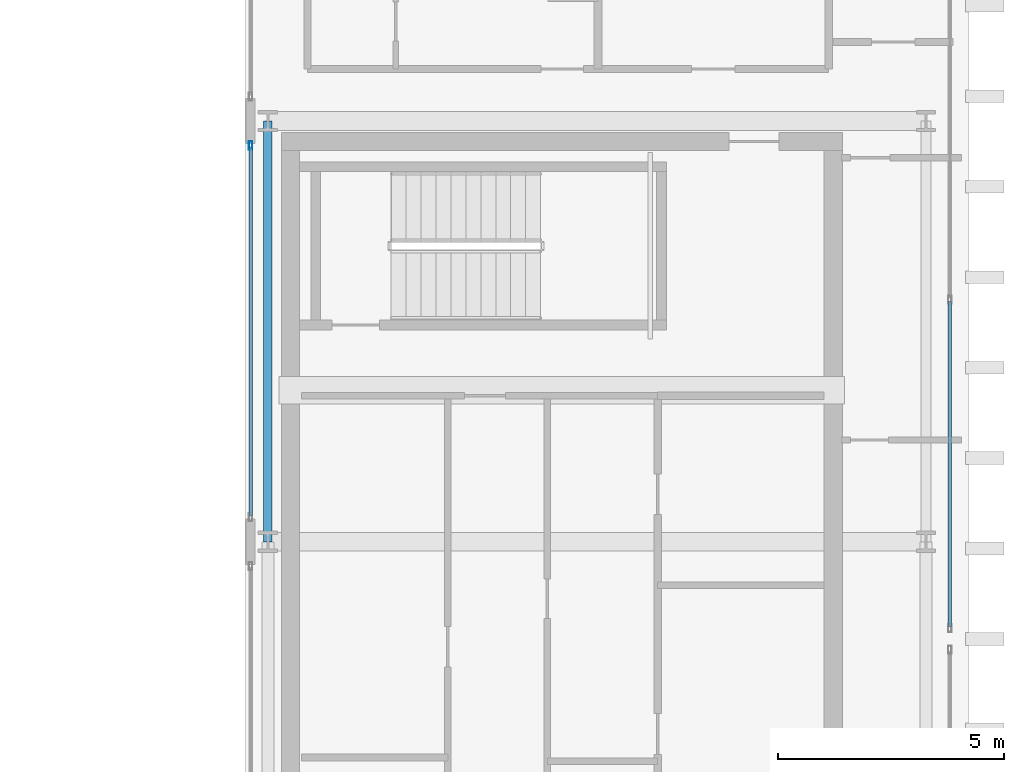
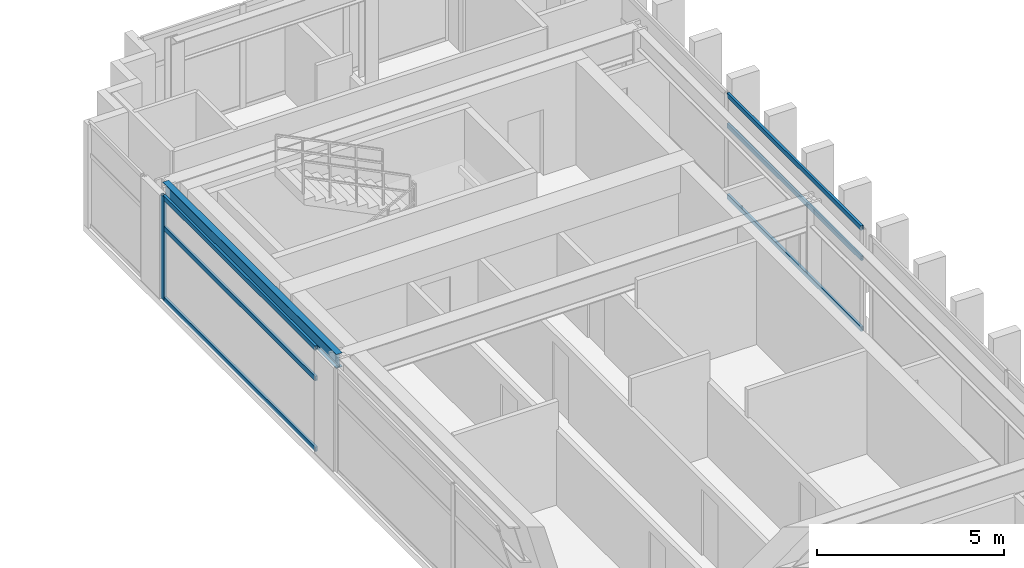
# One storey, part 12 of 25: 7 members, 1 beam, 2 elements without a shape of their own.
"""IFC4 building model written with IfcOpenShell, lengths in metres."""

from ifc_helpers import new_model, si_unit, direction, frame, origin, origin_2d, place, context, subcontext, project, spatial, hollow_rectangle, i_section, extrude, source, transform, mapped, material, layer, layer_set, material_profile, profile_set, type_object, element, aggregate, save


model = new_model("IFC4")

# Units and contexts
model_context = context("Model", 3, precision=1e-05, world=origin(), true_north=direction((0.0, 1.0)))
body_context = subcontext(model_context, "Body", "Model", "MODEL_VIEW")
ifc_project = project(units=[si_unit("LENGTHUNIT", "METRE"), si_unit("AREAUNIT", "SQUARE_METRE"), si_unit("VOLUMEUNIT", "CUBIC_METRE"), si_unit("PLANEANGLEUNIT", "RADIAN"), si_unit("MASSUNIT", "GRAM", prefix="KILO")], contexts=[model_context])

# Site, building, storey
site_placement = place(None, origin())
site = spatial("IfcSite", under=ifc_project, at=site_placement, CompositionType="ELEMENT")
building_placement = place(site_placement, origin())
building = spatial("IfcBuilding", under=site, at=building_placement, Name="Ocotamira Hotel", CompositionType="ELEMENT")
storey_placement = place(building_placement, frame((0.0, 0.0, 261.60009765625)))
storey = spatial("IfcBuildingStorey", under=building, at=storey_placement, Name="L66", CompositionType="ELEMENT", Elevation=261.60009765625)

# Beam
ifc_material_1 = material(Name="Steel ASTM A992 Grade 50", Category="steel")
ifc_material_profile_1 = material_profile(ifc_material_1, i_section(OverallWidth=0.18994140625, OverallDepth=0.45703125, WebThickness=0.009033203125, FlangeThickness=0.014404296875, FilletRadius=0.010009765625, at=origin_2d()), Name="W18X50")
ifc_profile_set_1 = profile_set([ifc_material_profile_1], Name="Steel ASTM A992 Grade 50")
beam_type = type_object("IfcBeamType", Name="BM-SEC-W18X50", PredefinedType="JOIST", material=ifc_profile_set_1)
shared_shape_1 = source(origin(), body_context, "Body", "SweptSolid", [
    extrude(i_section(OverallWidth=0.18994140625, OverallDepth=0.45703125, WebThickness=0.009033203125, FlangeThickness=0.014404296875, FilletRadius=0.010009765625, at=origin_2d()), origin(), (0.0, 0.0, 1.0), 9.300048828125),
])
beam_placement = place(storey_placement, frame((40.5, 28.14990234375, 3.1513671875), z_axis=(0.0, 1.0, 0.0), x_axis=(-1.0, 0.0, 0.0)))
element("IfcBeam", 1, at=beam_placement, inside=storey, type_object=beam_type, Name="L66 Beam X40.5 Y28.15-37.45", PredefinedType="JOIST", context=body_context, shape_type="MappedRepresentation", body=[
    mapped(shared_shape_1, transform((0.0, 0.0, 0.0), scale=1.0)),
])

# Curtain wall, member
ifc_material_2 = material(Name="Anodised pale-metal aluminium and solar glass", Category="aluminium")
ifc_layer = layer(ifc_material_2, 0.2099609375)
ifc_layer_set = layer_set([ifc_layer], Name="Anodised pale-metal aluminium and solar glass")
curtain_wall_type = type_object("IfcCurtainWallType", Name="CW-SYS7-PEAK", PredefinedType="NOTDEFINED", material=ifc_layer_set)
curtain_wall_1_placement = place(storey_placement, origin())
curtain_wall_1 = element("IfcCurtainWall", 2, at=curtain_wall_1_placement, inside=storey, type_object=curtain_wall_type, Name="L66 Curtain Wall CW-7 CW-L66-EI3", PredefinedType="NOTDEFINED")
ifc_material_3 = material(Name="Anodised pale-metal aluminium 6063-T6", Category="aluminium")
ifc_material_profile_2 = material_profile(ifc_material_3, hollow_rectangle(XDim=0.080078125, YDim=0.179931640625, WallThickness=0.006103515625, at=origin_2d()), Name="HSS180X80X6")
ifc_profile_set_2 = profile_set([ifc_material_profile_2], Name="Anodised pale-metal aluminium 6063-T6")
member_type_1 = type_object("IfcMemberType", Name="CWM-180X75", PredefinedType="MULLION", material=ifc_profile_set_2)
shared_shape_2 = source(origin(), body_context, "Body", "SweptSolid", [
    extrude(hollow_rectangle(XDim=0.080078125, YDim=0.179931640625, WallThickness=0.006103515625, at=origin_2d()), origin(), (0.0, 0.0, 1.0), 3.3798828125),
])
member_1_placement = place(storey_placement, frame((40.1201171875, 36.909912109375, 0.0), z_axis=(0.0, 0.0, 1.0), x_axis=(-1.0, 0.0, 0.0)))
member_1 = element("IfcMember", 3, at=member_1_placement, type_object=member_type_1, Name="CW-7 mullion 2", PredefinedType="MULLION", context=body_context, shape_type="MappedRepresentation", body=[
    mapped(shared_shape_2, transform((0.0, 0.0, 0.0), scale=1.0)),
])

# Curtain wall, members
curtain_wall_2_placement = place(storey_placement, origin())
curtain_wall_2 = element("IfcCurtainWall", 4, at=curtain_wall_2_placement, inside=storey, type_object=curtain_wall_type, Name="L66 Curtain Wall CW-7 CW-L66-EO2", PredefinedType="NOTDEFINED")
ifc_material_profile_3 = material_profile(ifc_material_3, hollow_rectangle(XDim=0.074951171875, YDim=0.14990234375, WallThickness=0.006103515625, at=origin_2d()), Name="HSS150X75X6")
ifc_profile_set_3 = profile_set([ifc_material_profile_3], Name="Anodised pale-metal aluminium 6063-T6")
member_type_2 = type_object("IfcMemberType", Name="CWT-150X75", PredefinedType="USERDEFINED", material=ifc_profile_set_3)
shared_shape_3 = source(origin(), body_context, "Body", "SweptSolid", [
    extrude(hollow_rectangle(XDim=0.074951171875, YDim=0.14990234375, WallThickness=0.006103515625, at=origin_2d()), origin(), (0.0, 0.0, 1.0), 7.179931640625),
])
member_2_placement = place(storey_placement, frame((55.580078125, 26.280029296875, 0.037353515625), z_axis=(0.0, 1.0, 0.0), x_axis=(-1.0, 0.0, 0.0)))
member_2 = element("IfcMember", 5, at=member_2_placement, type_object=member_type_2, Name="CW-7 transom 1.1", ObjectType="TRANSOM", PredefinedType="USERDEFINED", context=body_context, shape_type="MappedRepresentation", body=[
    mapped(shared_shape_3, transform((0.0, 0.0, 0.0), scale=1.0)),
])
member_3_placement = place(storey_placement, frame((55.580078125, 26.280029296875, 2.349853515625), z_axis=(0.0, 1.0, 0.0), x_axis=(-1.0, 0.0, 0.0)))
member_3 = element("IfcMember", 6, at=member_3_placement, type_object=member_type_2, Name="CW-7 transom 1.2", ObjectType="TRANSOM", PredefinedType="USERDEFINED", context=body_context, shape_type="MappedRepresentation", body=[
    mapped(shared_shape_3, transform((0.0, 0.0, 0.0), scale=1.0)),
])
member_4_placement = place(storey_placement, frame((55.580078125, 26.280029296875, 3.34228515625), z_axis=(0.0, 1.0, 0.0), x_axis=(-1.0, 0.0, 0.0)))
member_4 = element("IfcMember", 7, at=member_4_placement, type_object=member_type_2, Name="CW-7 transom 1.3", ObjectType="TRANSOM", PredefinedType="USERDEFINED", context=body_context, shape_type="MappedRepresentation", body=[
    mapped(shared_shape_3, transform((0.0, 0.0, 0.0), scale=1.0)),
])
aggregate(curtain_wall_2, [member_2, member_3, member_4])

# Member
shared_shape_4 = source(origin(), body_context, "Body", "SweptSolid", [
    extrude(hollow_rectangle(XDim=0.074951171875, YDim=0.14990234375, WallThickness=0.006103515625, at=origin_2d()), origin(), (0.0, 0.0, 1.0), 8.14013671875),
])
member_5_placement = place(storey_placement, frame((40.1201171875, 28.72998046875, 0.037353515625), z_axis=(0.0, 1.0, 0.0), x_axis=(-1.0, 0.0, 0.0)))
member_5 = element("IfcMember", 8, at=member_5_placement, type_object=member_type_2, Name="CW-7 transom 1.1", ObjectType="TRANSOM", PredefinedType="USERDEFINED", context=body_context, shape_type="MappedRepresentation", body=[
    mapped(shared_shape_4, transform((0.0, 0.0, 0.0), scale=1.0)),
])

member_6_placement = place(storey_placement, frame((40.1201171875, 28.72998046875, 2.349853515625), z_axis=(0.0, 1.0, 0.0), x_axis=(-1.0, 0.0, 0.0)))
member_6 = element("IfcMember", 9, at=member_6_placement, type_object=member_type_2, Name="CW-7 transom 1.2", ObjectType="TRANSOM", PredefinedType="USERDEFINED", context=body_context, shape_type="MappedRepresentation", body=[
    mapped(shared_shape_4, transform((0.0, 0.0, 0.0), scale=1.0)),
])

member_7_placement = place(storey_placement, frame((40.1201171875, 28.72998046875, 3.34228515625), z_axis=(0.0, 1.0, 0.0), x_axis=(-1.0, 0.0, 0.0)))
member_7 = element("IfcMember", 10, at=member_7_placement, type_object=member_type_2, Name="CW-7 transom 1.3", ObjectType="TRANSOM", PredefinedType="USERDEFINED", context=body_context, shape_type="MappedRepresentation", body=[
    mapped(shared_shape_4, transform((0.0, 0.0, 0.0), scale=1.0)),
])

aggregate(curtain_wall_1, [member_1, member_5, member_6, member_7])

save(model, "model.ifc")
